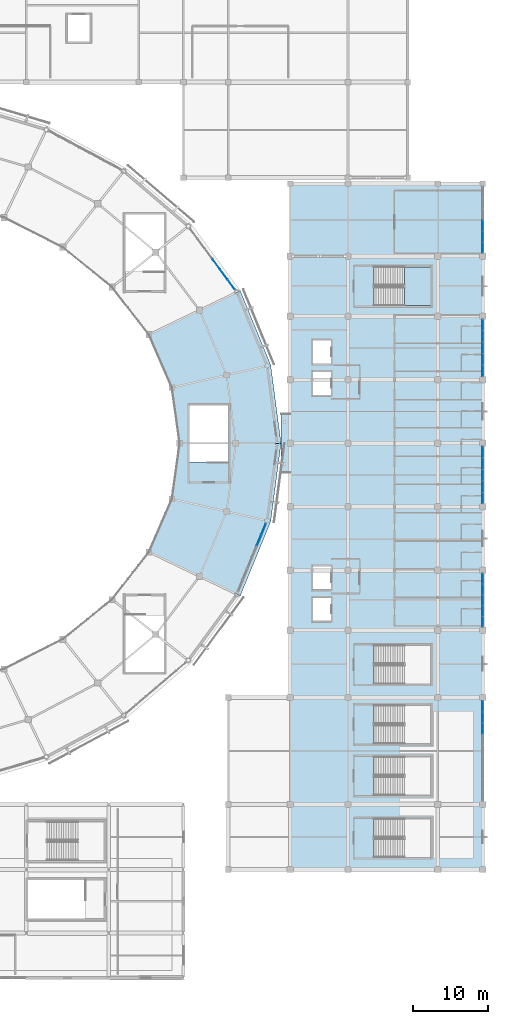
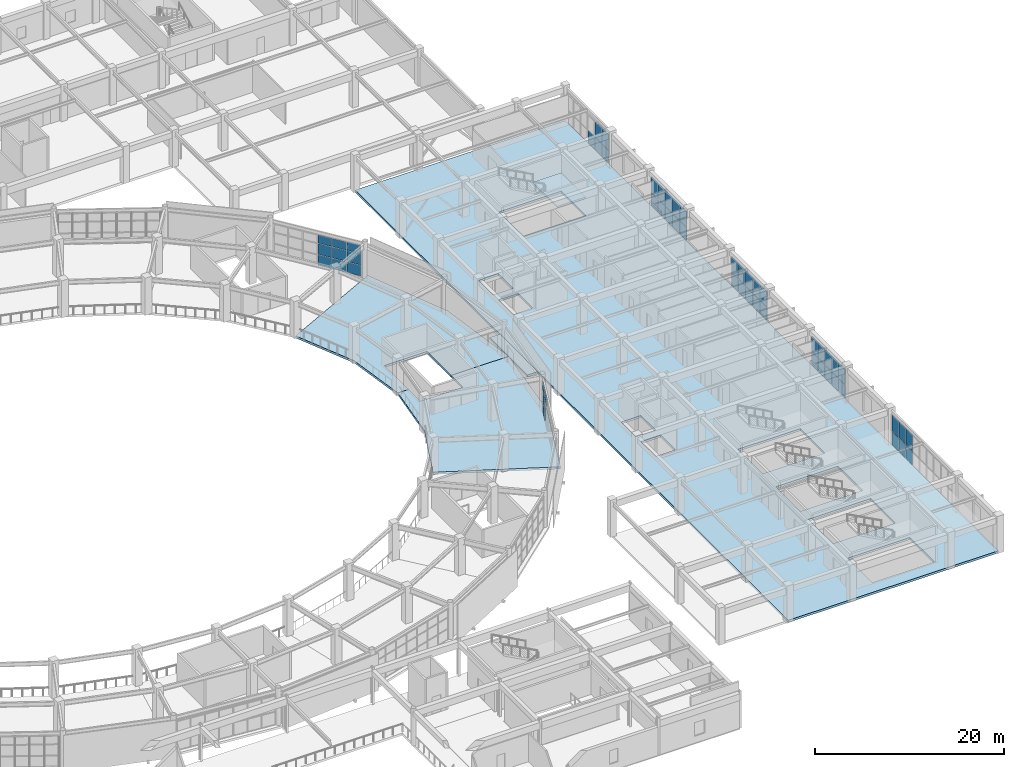
# One storey, part 74 of 112: 54 plates, 5 slabs, 8 elements without a shape of their own.
"""IFC4 building model written with IfcOpenShell, lengths in metres."""

import ifcopenshell
import ifcopenshell.guid

model = None  # the IFC model being written
_history = None  # IfcOwnerHistory: only IFC2X3 demands one
_inside = {}  # id of a spatial element -> (the spatial element, [elements in it])
_under = {}  # id of a project, library or spatial element -> (it, [spatial elements below it])
_declared = {}  # id of a project -> (the project, [libraries it declares])
_typed = {}  # id of a type object -> (the type object, [elements of that type])
_made_of = {}  # id of a material, layer set ... -> (it, [elements and type objects made of it])


def new_model(schema):
    """Start an empty IFC model of exactly this schema.

    Asked for "IFC4X3", IfcOpenShell would pick the latest addendum, in which some entities
    have other attributes; the version numbers below select the first issue.
    IFC2X3 requires an IfcOwnerHistory on every rooted entity: one is made here for all.
    """
    global model, _history
    if schema == "IFC4X3":
        model = ifcopenshell.file(schema_version=(4, 3, 0, 0))
    else:
        model = ifcopenshell.file(schema=schema)
    _inside.clear()
    _under.clear()
    _declared.clear()
    _typed.clear()
    _made_of.clear()
    _history = None
    if model.schema == "IFC2X3":
        org = make("IfcOrganization", Name="unknown")
        user = make(
            "IfcPersonAndOrganization",
            ThePerson=make("IfcPerson", FamilyName="unknown"),
            TheOrganization=org,
        )
        app = make(
            "IfcApplication",
            ApplicationDeveloper=org,
            Version="unknown",
            ApplicationFullName="unknown",
            ApplicationIdentifier="unknown",
        )
        _history = make(
            "IfcOwnerHistory",
            OwningUser=user,
            OwningApplication=app,
            ChangeAction="ADDED",
            CreationDate=0,
        )
    return model


def make(cls, **values):
    """One entity of the class cls with the attributes given. An attribute that is None is left unset."""
    return model.create_entity(
        cls, **{name: value for name, value in values.items() if value is not None}
    )


def rooted(cls, **values):
    """An entity with a GlobalId (a new one), such as an element, a storey or a relation."""
    return make(cls, GlobalId=ifcopenshell.guid.new(), OwnerHistory=_history, **values)


def si_unit(unit_type, name, prefix=None):
    """IfcSIUnit, for example si_unit("LENGTHUNIT", "METRE", prefix="MILLI")."""
    return make("IfcSIUnit", UnitType=unit_type, Prefix=prefix, Name=name)


def assignment(units):
    """IfcUnitAssignment: the units of a project."""
    return None if units is None else make("IfcUnitAssignment", Units=units)


def point(xyz):
    """IfcCartesianPoint."""
    return None if xyz is None else make("IfcCartesianPoint", Coordinates=xyz)


def direction(xyz):
    """IfcDirection."""
    return None if xyz is None else make("IfcDirection", DirectionRatios=xyz)


def frame(location, z_axis=None, x_axis=None):
    """IfcAxis2Placement3D, a coordinate frame: its origin and axes. An axis left out is left unset."""
    return make(
        "IfcAxis2Placement3D",
        Location=point(location),
        Axis=direction(z_axis),
        RefDirection=direction(x_axis),
    )


def frame_2d(location, x_axis=None):
    """IfcAxis2Placement2D, a coordinate frame in the plane: its origin and x axis."""
    return make(
        "IfcAxis2Placement2D", Location=point(location), RefDirection=direction(x_axis)
    )


def origin():
    """The frame at (0, 0, 0) with its axes left unset."""
    return frame((0.0, 0.0, 0.0))


def origin_2d():
    """The frame at (0, 0) in the plane with its x axis left unset."""
    return frame_2d((0.0, 0.0))


def place(relative_to, where):
    """IfcLocalPlacement: puts the frame where relative to a parent placement (None: the world)."""
    return make(
        "IfcLocalPlacement", PlacementRelTo=relative_to, RelativePlacement=where
    )


def context(
    kind, dimensions, precision=None, world=None, true_north=None, identifier=None
):
    """IfcGeometricRepresentationContext, for example the 3D "Model" context."""
    return make(
        "IfcGeometricRepresentationContext",
        ContextIdentifier=identifier,
        ContextType=kind,
        CoordinateSpaceDimension=dimensions,
        Precision=precision,
        WorldCoordinateSystem=world,
        TrueNorth=true_north,
    )


def subcontext(parent, identifier, kind, view, scale=None):
    """IfcGeometricRepresentationSubContext, for example "Body" below "Model"."""
    return make(
        "IfcGeometricRepresentationSubContext",
        ContextIdentifier=identifier,
        ContextType=kind,
        ParentContext=parent,
        TargetScale=scale,
        TargetView=view,
    )


def project(units=None, contexts=None):
    """IfcProject with its units and contexts."""
    return rooted(
        "IfcProject",
        Name="project",
        RepresentationContexts=contexts,
        UnitsInContext=assignment(units),
    )


def spatial(cls, under=None, at=None, **own):
    """A site, building, storey or space (cls), placed at a placement, below another one or the project."""
    s = rooted(cls, ObjectPlacement=at, **own)
    if under is not None:
        _under.setdefault(under.id(), (under, []))[1].append(s)
    return s


def polyline(points):
    """IfcPolyline through the points."""
    return make("IfcPolyline", Points=[point(p) for p in points])


def profile(cls, at=None, kind="AREA", **sizes):
    """A parametric profile (cls). Its sizes go by their IFC names, for example OverallWidth=200.0."""
    return make(cls, ProfileType=kind, Position=at, **sizes)


def rectangle(**sizes):
    """IfcRectangleProfileDef."""
    return profile("IfcRectangleProfileDef", **sizes)


def outline(outer, holes=None, kind="AREA"):
    """IfcArbitraryClosedProfileDef: a profile drawn as a closed curve; with holes, ...WithVoids."""
    if holes is None:
        return make("IfcArbitraryClosedProfileDef", ProfileType=kind, OuterCurve=outer)
    return make(
        "IfcArbitraryProfileDefWithVoids",
        ProfileType=kind,
        OuterCurve=outer,
        InnerCurves=holes,
    )


def extrude(swept, where, along, depth):
    """IfcExtrudedAreaSolid: the profile swept, set in the frame where, extruded along a direction by depth."""
    return make(
        "IfcExtrudedAreaSolid",
        SweptArea=swept,
        Position=where,
        ExtrudedDirection=direction(along),
        Depth=depth,
    )


def shape(context_of_items, identifier, shape_type, items):
    """IfcShapeRepresentation: the items that make up one representation, for example the "Body"."""
    return make(
        "IfcShapeRepresentation",
        ContextOfItems=context_of_items,
        RepresentationIdentifier=identifier,
        RepresentationType=shape_type,
        Items=items,
    )


def material(Name=None, Category=None):
    """IfcMaterial."""
    return make("IfcMaterial", Name=Name, Category=Category)


def layer(
    of_material, thickness, ventilated=None, Name=None, Category=None, Priority=None
):
    """IfcMaterialLayer: one layer of a wall or slab, of a material (None: an air gap)."""
    return make(
        "IfcMaterialLayer",
        Material=of_material,
        LayerThickness=thickness,
        IsVentilated=ventilated,
        Name=Name,
        Category=Category,
        Priority=Priority,
    )


def layer_set(layers, Name=None):
    """IfcMaterialLayerSet."""
    return make("IfcMaterialLayerSet", MaterialLayers=layers, LayerSetName=Name)


def made_of(thing, what):
    """Note that an element or type object is made of a material, layer set ...; save() writes the relation."""
    if what is not None:
        _made_of.setdefault(what.id(), (what, []))[1].append(thing)
    return thing


def type_object(cls, material=None, **own):
    """A type object (cls), such as IfcWallType, which elements share."""
    return made_of(rooted(cls, **own), material)


def element(
    cls,
    number,
    at=None,
    inside=None,
    cuts=None,
    type_object=None,
    material=None,
    context=None,
    identifier="Body",
    shape_type=None,
    held_by="IfcProductDefinitionShape",
    body=None,
    shapes=None,
    **own,
):
    """One element of the class cls, such as IfcWall. Its Tag is "e" and its number.

    at: its placement. inside: the storey or other place that contains it. cuts: it is an
    opening in that element (IfcRelVoidsElement). A single representation is given by context,
    identifier, shape_type and body (its items); several are given by shapes. held_by: the class
    of the entity that holds the representations. save() writes the other relations.
    """
    e = rooted(cls, Tag="e%d" % number, ObjectPlacement=at, **own)
    if body is not None:
        shapes = [shape(context, identifier, shape_type, body)]
    if shapes is not None:
        e.Representation = make(held_by, Representations=shapes)
    if inside is not None:
        _inside.setdefault(inside.id(), (inside, []))[1].append(e)
    if cuts is not None:
        rooted(
            "IfcRelVoidsElement", RelatingBuildingElement=cuts, RelatedOpeningElement=e
        )
    if type_object is not None:
        _typed.setdefault(type_object.id(), (type_object, []))[1].append(e)
    return made_of(e, material)


def aggregate(whole, parts):
    """IfcRelAggregates: a whole, such as a stair, and the parts it consists of."""
    return rooted("IfcRelAggregates", RelatingObject=whole, RelatedObjects=parts)


def save(model, path):
    """Write the relations noted so far, then the file.

    IfcRelAggregates (storeys below a building ...), IfcRelContainedInSpatialStructure (elements
    in a storey), IfcRelDefinesByType, IfcRelAssociatesMaterial and IfcRelDeclares: one each for
    every whole, place, type object, material and project.
    """
    for whole, parts in _under.values():
        aggregate(whole, parts)
    for where, things in _inside.values():
        rooted(
            "IfcRelContainedInSpatialStructure",
            RelatedElements=things,
            RelatingStructure=where,
        )
    for kind, things in _typed.values():
        rooted("IfcRelDefinesByType", RelatedObjects=things, RelatingType=kind)
    for what, things in _made_of.values():
        rooted("IfcRelAssociatesMaterial", RelatedObjects=things, RelatingMaterial=what)
    for by, libraries in _declared.values():
        rooted("IfcRelDeclares", RelatingContext=by, RelatedDefinitions=libraries)
    model.write(path)


model = new_model("IFC4")

# Units and contexts
model_context = context("Model", 3, precision=1e-05, world=origin(), true_north=direction((0.0, 1.0)))
body_context = subcontext(model_context, "Body", "Model", "MODEL_VIEW")
ifc_project = project(units=[si_unit("LENGTHUNIT", "METRE"), si_unit("AREAUNIT", "SQUARE_METRE"), si_unit("VOLUMEUNIT", "CUBIC_METRE"), si_unit("PLANEANGLEUNIT", "RADIAN"), si_unit("MASSUNIT", "GRAM", prefix="KILO")], contexts=[model_context])

# Site, building, storey
site_placement = place(None, origin())
site = spatial("IfcSite", under=ifc_project, at=site_placement, CompositionType="ELEMENT")
building_placement = place(site_placement, origin())
building = spatial("IfcBuilding", under=site, at=building_placement, Name="Cuetzalor Civic Arena", CompositionType="ELEMENT")
storey_placement = place(building_placement, frame((0.0, 0.0, 11.39990234375)))
storey = spatial("IfcBuildingStorey", under=building, at=storey_placement, Name="L02", CompositionType="ELEMENT", Elevation=11.39990234375)

# Curtain wall, plates
ifc_material_1 = material(Name="Anodised dark bronze aluminium and low-E solar glass", Category="aluminium")
curtain_wall_type_1 = type_object("IfcCurtainWallType", Name="UnitisedCW_10150x4050", PredefinedType="USERDEFINED", material=ifc_material_1)
curtain_wall_1_placement = place(storey_placement, origin())
curtain_wall_1 = element("IfcCurtainWall", 1, at=curtain_wall_1_placement, inside=storey, type_object=curtain_wall_type_1, Name="Drum Triangle Foyer Curtain Wall L02-033", ObjectType="UNITISED CURTAIN WALL", PredefinedType="USERDEFINED")
ifc_material_2 = material(Name="Acoustic laminated solar control glass", Category="glass")
ifc_layer_1 = layer(ifc_material_2, 0.0439453125)
ifc_layer_set_1 = layer_set([ifc_layer_1], Name="Acoustic laminated solar control glass")
plate_type = type_object("IfcPlateType", Name="AcousticTripleGlazedPanel_44", PredefinedType="CURTAIN_PANEL", material=ifc_layer_set_1)
plate_1_placement = place(storey_placement, frame((46.399658203125, 23.9296875, 0.06494140625), z_axis=(0.0, 0.0, 1.0), x_axis=(0.59292931222, -0.805254513002, 0.0)))
plate_1 = element("IfcPlate", 2, at=plate_1_placement, type_object=plate_type, Name="CW-12 panel 4.1", PredefinedType="CURTAIN_PANEL", context=body_context, shape_type="SweptSolid", body=[
    extrude(rectangle(XDim=1.625732421875, YDim=0.0439453125, at=origin_2d()), origin(), (0.0, 0.0, 1.0), 1.361572265625),
])
plate_2_placement = place(storey_placement, frame((46.399658203125, 23.9296875, 1.491455078125), z_axis=(0.0, 0.0, 1.0), x_axis=(0.59292931222, -0.805254513002, 0.0)))
plate_2 = element("IfcPlate", 3, at=plate_2_placement, type_object=plate_type, Name="CW-12 panel 4.2", PredefinedType="CURTAIN_PANEL", context=body_context, shape_type="SweptSolid", body=[
    extrude(rectangle(XDim=1.625732421875, YDim=0.0439453125, at=origin_2d()), origin(), (0.0, 0.0, 1.0), 1.39404296875),
])
plate_3_placement = place(storey_placement, frame((46.399658203125, 23.9296875, 2.950439453125), z_axis=(0.0, 0.0, 1.0), x_axis=(0.59292931222, -0.805254513002, 0.0)))
plate_3 = element("IfcPlate", 4, at=plate_3_placement, type_object=plate_type, Name="CW-12 panel 4.3", PredefinedType="CURTAIN_PANEL", context=body_context, shape_type="SweptSolid", body=[
    extrude(rectangle(XDim=1.625732421875, YDim=0.0439453125, at=origin_2d()), origin(), (0.0, 0.0, 1.0), 1.03759765625),
])
plate_4_placement = place(storey_placement, frame((47.402099609375, 22.568359375, 0.06494140625), z_axis=(0.0, 0.0, 1.0), x_axis=(0.59292931222, -0.805254513002, 0.0)))
plate_4 = element("IfcPlate", 5, at=plate_4_placement, type_object=plate_type, Name="CW-12 panel 5.1", PredefinedType="CURTAIN_PANEL", context=body_context, shape_type="SweptSolid", body=[
    extrude(rectangle(XDim=1.625732421875, YDim=0.0439453125, at=origin_2d()), origin(), (0.0, 0.0, 1.0), 1.361572265625),
])
plate_5_placement = place(storey_placement, frame((47.402099609375, 22.568359375, 1.491455078125), z_axis=(0.0, 0.0, 1.0), x_axis=(0.59292931222, -0.805254513002, 0.0)))
plate_5 = element("IfcPlate", 6, at=plate_5_placement, type_object=plate_type, Name="CW-12 panel 5.2", PredefinedType="CURTAIN_PANEL", context=body_context, shape_type="SweptSolid", body=[
    extrude(rectangle(XDim=1.625732421875, YDim=0.0439453125, at=origin_2d()), origin(), (0.0, 0.0, 1.0), 1.39404296875),
])
plate_6_placement = place(storey_placement, frame((47.402099609375, 22.568359375, 2.950439453125), z_axis=(0.0, 0.0, 1.0), x_axis=(0.59292931222, -0.805254513002, 0.0)))
plate_6 = element("IfcPlate", 7, at=plate_6_placement, type_object=plate_type, Name="CW-12 panel 5.3", PredefinedType="CURTAIN_PANEL", context=body_context, shape_type="SweptSolid", body=[
    extrude(rectangle(XDim=1.625732421875, YDim=0.0439453125, at=origin_2d()), origin(), (0.0, 0.0, 1.0), 1.03759765625),
])
plate_7_placement = place(storey_placement, frame((48.394775390625, 21.219970703125, 0.06494140625), z_axis=(0.0, 0.0, 1.0), x_axis=(0.59292931222, -0.805254513002, 0.0)))
plate_7 = element("IfcPlate", 8, at=plate_7_placement, type_object=plate_type, Name="CW-12 panel 6.1", PredefinedType="CURTAIN_PANEL", context=body_context, shape_type="SweptSolid", body=[
    extrude(rectangle(XDim=1.59326171875, YDim=0.0439453125, at=origin_2d()), origin(), (0.0, 0.0, 1.0), 1.361572265625),
])
plate_8_placement = place(storey_placement, frame((48.394775390625, 21.219970703125, 1.491455078125), z_axis=(0.0, 0.0, 1.0), x_axis=(0.59292931222, -0.805254513002, 0.0)))
plate_8 = element("IfcPlate", 9, at=plate_8_placement, type_object=plate_type, Name="CW-12 panel 6.2", PredefinedType="CURTAIN_PANEL", context=body_context, shape_type="SweptSolid", body=[
    extrude(rectangle(XDim=1.59326171875, YDim=0.0439453125, at=origin_2d()), origin(), (0.0, 0.0, 1.0), 1.39404296875),
])
plate_9_placement = place(storey_placement, frame((48.394775390625, 21.219970703125, 2.950439453125), z_axis=(0.0, 0.0, 1.0), x_axis=(0.59292931222, -0.805254513002, 0.0)))
plate_9 = element("IfcPlate", 10, at=plate_9_placement, type_object=plate_type, Name="CW-12 panel 6.3", PredefinedType="CURTAIN_PANEL", context=body_context, shape_type="SweptSolid", body=[
    extrude(rectangle(XDim=1.59326171875, YDim=0.0439453125, at=origin_2d()), origin(), (0.0, 0.0, 1.0), 1.03759765625),
])
aggregate(curtain_wall_1, [plate_1, plate_2, plate_3, plate_4, plate_5, plate_6, plate_7, plate_8, plate_9])

ifc_material_3 = material(Name="Anodised dark bronze aluminium and low-E solar glass", Category="aluminium")
curtain_wall_type_2 = type_object("IfcCurtainWallType", Name="UnitisedCW_9850x4050", PredefinedType="USERDEFINED", material=ifc_material_3)
curtain_wall_2_placement = place(storey_placement, origin())
curtain_wall_2 = element("IfcCurtainWall", 11, at=curtain_wall_2_placement, inside=storey, type_object=curtain_wall_type_2, Name="Drum Triangle Foyer Curtain Wall L02-044", ObjectType="UNITISED CURTAIN WALL", PredefinedType="USERDEFINED")
plate_10_placement = place(storey_placement, frame((52.719970703125, -11.486083984375, 0.06494140625), z_axis=(0.0, 0.0, 1.0), x_axis=(-0.379391428583, -0.925236263836, 0.0)))
plate_10 = element("IfcPlate", 12, at=plate_10_placement, type_object=plate_type, Name="CW-17 panel 1.1", PredefinedType="CURTAIN_PANEL", context=body_context, shape_type="SweptSolid", body=[
    extrude(rectangle(XDim=1.548095703125, YDim=0.0439453125, at=origin_2d()), origin(), (0.0, 0.0, 1.0), 1.361572265625),
])
plate_11_placement = place(storey_placement, frame((52.719970703125, -11.486083984375, 1.491455078125), z_axis=(0.0, 0.0, 1.0), x_axis=(-0.379391428583, -0.925236263836, 0.0)))
plate_11 = element("IfcPlate", 13, at=plate_11_placement, type_object=plate_type, Name="CW-17 panel 1.2", PredefinedType="CURTAIN_PANEL", context=body_context, shape_type="SweptSolid", body=[
    extrude(rectangle(XDim=1.548095703125, YDim=0.0439453125, at=origin_2d()), origin(), (0.0, 0.0, 1.0), 1.39404296875),
])
plate_12_placement = place(storey_placement, frame((52.719970703125, -11.486083984375, 2.950439453125), z_axis=(0.0, 0.0, 1.0), x_axis=(-0.379391428583, -0.925236263836, 0.0)))
plate_12 = element("IfcPlate", 14, at=plate_12_placement, type_object=plate_type, Name="CW-17 panel 1.3", PredefinedType="CURTAIN_PANEL", context=body_context, shape_type="SweptSolid", body=[
    extrude(rectangle(XDim=1.548095703125, YDim=0.0439453125, at=origin_2d()), origin(), (0.0, 0.0, 1.0), 1.03759765625),
])
plate_13_placement = place(storey_placement, frame((52.1015625, -12.993896484375, 2.950439453125), z_axis=(0.0, 0.0, 1.0), x_axis=(-0.379391428583, -0.925236263836, 0.0)))
plate_13 = element("IfcPlate", 15, at=plate_13_placement, type_object=plate_type, Name="CW-17 panel 2.3", PredefinedType="CURTAIN_PANEL", context=body_context, shape_type="SweptSolid", body=[
    extrude(rectangle(XDim=1.580810546875, YDim=0.0439453125, at=origin_2d()), origin(), (0.0, 0.0, 1.0), 1.03759765625),
])
aggregate(curtain_wall_2, [plate_10, plate_11, plate_12, plate_13])

ifc_material_4 = material(Name="Anodised dark bronze aluminium and low-E solar glass", Category="aluminium")
curtain_wall_type_3 = type_object("IfcCurtainWallType", Name="UnitisedCW_13500x4000", PredefinedType="USERDEFINED", material=ifc_material_4)
curtain_wall_3_placement = place(storey_placement, origin())
curtain_wall_3 = element("IfcCurtainWall", 16, at=curtain_wall_3_placement, inside=storey, type_object=curtain_wall_type_3, Name="V4E Suite Viewing Curtain Wall L02-140", ObjectType="UNITISED CURTAIN WALL", PredefinedType="USERDEFINED")
plate_14_placement = place(storey_placement, frame((82.0, -35.17236328125, 0.065185546875), z_axis=(0.0, 0.0, 1.0), x_axis=(0.0, -1.0, 0.0)))
plate_14 = element("IfcPlate", 17, at=plate_14_placement, type_object=plate_type, Name="CW-40 panel 1.1", PredefinedType="CURTAIN_PANEL", context=body_context, shape_type="SweptSolid", body=[
    extrude(rectangle(XDim=1.40087890625, YDim=0.0439453125, at=origin_2d()), origin(), (0.0, 0.0, 1.0), 1.6923828125),
])
plate_15_placement = place(storey_placement, frame((82.0, -35.17236328125, 1.82275390625), z_axis=(0.0, 0.0, 1.0), x_axis=(0.0, -1.0, 0.0)))
plate_15 = element("IfcPlate", 18, at=plate_15_placement, type_object=plate_type, Name="CW-40 panel 1.2", PredefinedType="CURTAIN_PANEL", context=body_context, shape_type="SweptSolid", body=[
    extrude(rectangle(XDim=1.40087890625, YDim=0.0439453125, at=origin_2d()), origin(), (0.0, 0.0, 1.0), 2.089599609375),
])
plate_16_placement = place(storey_placement, frame((82.0, -36.65478515625, 0.065185546875), z_axis=(0.0, 0.0, 1.0), x_axis=(0.0, -1.0, 0.0)))
plate_16 = element("IfcPlate", 19, at=plate_16_placement, type_object=plate_type, Name="CW-40 panel 2.1", PredefinedType="CURTAIN_PANEL", context=body_context, shape_type="SweptSolid", body=[
    extrude(rectangle(XDim=1.433349609375, YDim=0.0439453125, at=origin_2d()), origin(), (0.0, 0.0, 1.0), 1.6923828125),
])
plate_17_placement = place(storey_placement, frame((82.0, -36.65478515625, 1.82275390625), z_axis=(0.0, 0.0, 1.0), x_axis=(0.0, -1.0, 0.0)))
plate_17 = element("IfcPlate", 20, at=plate_17_placement, type_object=plate_type, Name="CW-40 panel 2.2", PredefinedType="CURTAIN_PANEL", context=body_context, shape_type="SweptSolid", body=[
    extrude(rectangle(XDim=1.433349609375, YDim=0.0439453125, at=origin_2d()), origin(), (0.0, 0.0, 1.0), 2.089599609375),
])
plate_18_placement = place(storey_placement, frame((82.0, -38.153076171875, 0.065185546875), z_axis=(0.0, 0.0, 1.0), x_axis=(0.0, -1.0, 0.0)))
plate_18 = element("IfcPlate", 21, at=plate_18_placement, type_object=plate_type, Name="CW-40 panel 3.1", PredefinedType="CURTAIN_PANEL", context=body_context, shape_type="SweptSolid", body=[
    extrude(rectangle(XDim=1.433349609375, YDim=0.0439453125, at=origin_2d()), origin(), (0.0, 0.0, 1.0), 1.6923828125),
])
plate_19_placement = place(storey_placement, frame((82.0, -38.153076171875, 1.82275390625), z_axis=(0.0, 0.0, 1.0), x_axis=(0.0, -1.0, 0.0)))
plate_19 = element("IfcPlate", 22, at=plate_19_placement, type_object=plate_type, Name="CW-40 panel 3.2", PredefinedType="CURTAIN_PANEL", context=body_context, shape_type="SweptSolid", body=[
    extrude(rectangle(XDim=1.433349609375, YDim=0.0439453125, at=origin_2d()), origin(), (0.0, 0.0, 1.0), 2.089599609375),
])
aggregate(curtain_wall_3, [plate_14, plate_15, plate_16, plate_17, plate_18, plate_19])

ifc_material_5 = material(Name="Anodised dark bronze aluminium and low-E solar glass", Category="aluminium")
curtain_wall_type_4 = type_object("IfcCurtainWallType", Name="UnitisedCW_7200x3850", PredefinedType="USERDEFINED", material=ifc_material_5)
curtain_wall_4_placement = place(storey_placement, origin())
curtain_wall_4 = element("IfcCurtainWall", 23, at=curtain_wall_4_placement, inside=storey, type_object=curtain_wall_type_4, Name="V4E Suite Viewing Curtain Wall L02-141", ObjectType="UNITISED CURTAIN WALL", PredefinedType="USERDEFINED")
plate_20_placement = place(storey_placement, frame((82.0, -18.141845703125, 0.06494140625), z_axis=(0.0, 0.0, 1.0), x_axis=(0.0, -1.0, 0.0)))
plate_20 = element("IfcPlate", 24, at=plate_20_placement, type_object=plate_type, Name="CW-41 panel 1.1", PredefinedType="CURTAIN_PANEL", context=body_context, shape_type="SweptSolid", body=[
    extrude(rectangle(XDim=1.339599609375, YDim=0.0439453125, at=origin_2d()), origin(), (0.0, 0.0, 1.0), 1.639404296875),
])
plate_21_placement = place(storey_placement, frame((82.0, -18.141845703125, 1.76953125), z_axis=(0.0, 0.0, 1.0), x_axis=(0.0, -1.0, 0.0)))
plate_21 = element("IfcPlate", 25, at=plate_21_placement, type_object=plate_type, Name="CW-41 panel 1.2", PredefinedType="CURTAIN_PANEL", context=body_context, shape_type="SweptSolid", body=[
    extrude(rectangle(XDim=1.339599609375, YDim=0.0439453125, at=origin_2d()), origin(), (0.0, 0.0, 1.0), 2.025390625),
])
plate_22_placement = place(storey_placement, frame((82.0, -19.562744140625, 0.06494140625), z_axis=(0.0, 0.0, 1.0), x_axis=(0.0, -1.0, 0.0)))
plate_22 = element("IfcPlate", 26, at=plate_22_placement, type_object=plate_type, Name="CW-41 panel 2.1", PredefinedType="CURTAIN_PANEL", context=body_context, shape_type="SweptSolid", body=[
    extrude(rectangle(XDim=1.372314453125, YDim=0.0439453125, at=origin_2d()), origin(), (0.0, 0.0, 1.0), 1.639404296875),
])
plate_23_placement = place(storey_placement, frame((82.0, -19.562744140625, 1.76953125), z_axis=(0.0, 0.0, 1.0), x_axis=(0.0, -1.0, 0.0)))
plate_23 = element("IfcPlate", 27, at=plate_23_placement, type_object=plate_type, Name="CW-41 panel 2.2", PredefinedType="CURTAIN_PANEL", context=body_context, shape_type="SweptSolid", body=[
    extrude(rectangle(XDim=1.372314453125, YDim=0.0439453125, at=origin_2d()), origin(), (0.0, 0.0, 1.0), 2.025390625),
])
plate_24_placement = place(storey_placement, frame((82.0, -21.0, 0.06494140625), z_axis=(0.0, 0.0, 1.0), x_axis=(0.0, -1.0, 0.0)))
plate_24 = element("IfcPlate", 28, at=plate_24_placement, type_object=plate_type, Name="CW-41 panel 3.1", PredefinedType="CURTAIN_PANEL", context=body_context, shape_type="SweptSolid", body=[
    extrude(rectangle(XDim=1.372314453125, YDim=0.0439453125, at=origin_2d()), origin(), (0.0, 0.0, 1.0), 1.639404296875),
])
plate_25_placement = place(storey_placement, frame((82.0, -21.0, 1.76953125), z_axis=(0.0, 0.0, 1.0), x_axis=(0.0, -1.0, 0.0)))
plate_25 = element("IfcPlate", 29, at=plate_25_placement, type_object=plate_type, Name="CW-41 panel 3.2", PredefinedType="CURTAIN_PANEL", context=body_context, shape_type="SweptSolid", body=[
    extrude(rectangle(XDim=1.372314453125, YDim=0.0439453125, at=origin_2d()), origin(), (0.0, 0.0, 1.0), 2.025390625),
])
plate_26_placement = place(storey_placement, frame((82.0, -22.437255859375, 0.06494140625), z_axis=(0.0, 0.0, 1.0), x_axis=(0.0, -1.0, 0.0)))
plate_26 = element("IfcPlate", 30, at=plate_26_placement, type_object=plate_type, Name="CW-41 panel 4.1", PredefinedType="CURTAIN_PANEL", context=body_context, shape_type="SweptSolid", body=[
    extrude(rectangle(XDim=1.372314453125, YDim=0.0439453125, at=origin_2d()), origin(), (0.0, 0.0, 1.0), 1.639404296875),
])
plate_27_placement = place(storey_placement, frame((82.0, -22.437255859375, 1.76953125), z_axis=(0.0, 0.0, 1.0), x_axis=(0.0, -1.0, 0.0)))
plate_27 = element("IfcPlate", 31, at=plate_27_placement, type_object=plate_type, Name="CW-41 panel 4.2", PredefinedType="CURTAIN_PANEL", context=body_context, shape_type="SweptSolid", body=[
    extrude(rectangle(XDim=1.372314453125, YDim=0.0439453125, at=origin_2d()), origin(), (0.0, 0.0, 1.0), 2.025390625),
])
plate_28_placement = place(storey_placement, frame((82.0, -23.858154296875, 0.06494140625), z_axis=(0.0, 0.0, 1.0), x_axis=(0.0, -1.0, 0.0)))
plate_28 = element("IfcPlate", 32, at=plate_28_placement, type_object=plate_type, Name="CW-41 panel 5.1", PredefinedType="CURTAIN_PANEL", context=body_context, shape_type="SweptSolid", body=[
    extrude(rectangle(XDim=1.339599609375, YDim=0.0439453125, at=origin_2d()), origin(), (0.0, 0.0, 1.0), 1.639404296875),
])
plate_29_placement = place(storey_placement, frame((82.0, -23.858154296875, 1.76953125), z_axis=(0.0, 0.0, 1.0), x_axis=(0.0, -1.0, 0.0)))
plate_29 = element("IfcPlate", 33, at=plate_29_placement, type_object=plate_type, Name="CW-41 panel 5.2", PredefinedType="CURTAIN_PANEL", context=body_context, shape_type="SweptSolid", body=[
    extrude(rectangle(XDim=1.339599609375, YDim=0.0439453125, at=origin_2d()), origin(), (0.0, 0.0, 1.0), 2.025390625),
])
aggregate(curtain_wall_4, [plate_20, plate_21, plate_22, plate_23, plate_24, plate_25, plate_26, plate_27, plate_28, plate_29])

ifc_material_6 = material(Name="Anodised dark bronze aluminium and low-E solar glass", Category="aluminium")
curtain_wall_type_5 = type_object("IfcCurtainWallType", Name="UnitisedCW_7700x3850", PredefinedType="USERDEFINED", material=ifc_material_6)
curtain_wall_5_placement = place(storey_placement, origin())
curtain_wall_5 = element("IfcCurtainWall", 34, at=curtain_wall_5_placement, inside=storey, type_object=curtain_wall_type_5, Name="V4E Suite Viewing Curtain Wall L02-142", ObjectType="UNITISED CURTAIN WALL", PredefinedType="USERDEFINED")
plate_30_placement = place(storey_placement, frame((82.0, -1.19189453125, 0.06494140625), z_axis=(0.0, 0.0, 1.0), x_axis=(0.0, -1.0, 0.0)))
plate_30 = element("IfcPlate", 35, at=plate_30_placement, type_object=plate_type, Name="CW-42 panel 1.1", PredefinedType="CURTAIN_PANEL", context=body_context, shape_type="SweptSolid", body=[
    extrude(rectangle(XDim=1.439697265625, YDim=0.0439453125, at=origin_2d()), origin(), (0.0, 0.0, 1.0), 1.639404296875),
])
plate_31_placement = place(storey_placement, frame((82.0, -1.19189453125, 1.76953125), z_axis=(0.0, 0.0, 1.0), x_axis=(0.0, -1.0, 0.0)))
plate_31 = element("IfcPlate", 36, at=plate_31_placement, type_object=plate_type, Name="CW-42 panel 1.2", PredefinedType="CURTAIN_PANEL", context=body_context, shape_type="SweptSolid", body=[
    extrude(rectangle(XDim=1.439697265625, YDim=0.0439453125, at=origin_2d()), origin(), (0.0, 0.0, 1.0), 2.025390625),
])
plate_32_placement = place(storey_placement, frame((82.0, -2.712890625, 0.06494140625), z_axis=(0.0, 0.0, 1.0), x_axis=(0.0, -1.0, 0.0)))
plate_32 = element("IfcPlate", 37, at=plate_32_placement, type_object=plate_type, Name="CW-42 panel 2.1", PredefinedType="CURTAIN_PANEL", context=body_context, shape_type="SweptSolid", body=[
    extrude(rectangle(XDim=1.47216796875, YDim=0.0439453125, at=origin_2d()), origin(), (0.0, 0.0, 1.0), 1.639404296875),
])
plate_33_placement = place(storey_placement, frame((82.0, -2.712890625, 1.76953125), z_axis=(0.0, 0.0, 1.0), x_axis=(0.0, -1.0, 0.0)))
plate_33 = element("IfcPlate", 38, at=plate_33_placement, type_object=plate_type, Name="CW-42 panel 2.2", PredefinedType="CURTAIN_PANEL", context=body_context, shape_type="SweptSolid", body=[
    extrude(rectangle(XDim=1.47216796875, YDim=0.0439453125, at=origin_2d()), origin(), (0.0, 0.0, 1.0), 2.025390625),
])
plate_34_placement = place(storey_placement, frame((82.0, -4.25, 0.06494140625), z_axis=(0.0, 0.0, 1.0), x_axis=(0.0, -1.0, 0.0)))
plate_34 = element("IfcPlate", 39, at=plate_34_placement, type_object=plate_type, Name="CW-42 panel 3.1", PredefinedType="CURTAIN_PANEL", context=body_context, shape_type="SweptSolid", body=[
    extrude(rectangle(XDim=1.47216796875, YDim=0.0439453125, at=origin_2d()), origin(), (0.0, 0.0, 1.0), 1.639404296875),
])
plate_35_placement = place(storey_placement, frame((82.0, -4.25, 1.76953125), z_axis=(0.0, 0.0, 1.0), x_axis=(0.0, -1.0, 0.0)))
plate_35 = element("IfcPlate", 40, at=plate_35_placement, type_object=plate_type, Name="CW-42 panel 3.2", PredefinedType="CURTAIN_PANEL", context=body_context, shape_type="SweptSolid", body=[
    extrude(rectangle(XDim=1.47216796875, YDim=0.0439453125, at=origin_2d()), origin(), (0.0, 0.0, 1.0), 2.025390625),
])
plate_36_placement = place(storey_placement, frame((82.0, -5.787109375, 0.06494140625), z_axis=(0.0, 0.0, 1.0), x_axis=(0.0, -1.0, 0.0)))
plate_36 = element("IfcPlate", 41, at=plate_36_placement, type_object=plate_type, Name="CW-42 panel 4.1", PredefinedType="CURTAIN_PANEL", context=body_context, shape_type="SweptSolid", body=[
    extrude(rectangle(XDim=1.47216796875, YDim=0.0439453125, at=origin_2d()), origin(), (0.0, 0.0, 1.0), 1.639404296875),
])
plate_37_placement = place(storey_placement, frame((82.0, -5.787109375, 1.76953125), z_axis=(0.0, 0.0, 1.0), x_axis=(0.0, -1.0, 0.0)))
plate_37 = element("IfcPlate", 42, at=plate_37_placement, type_object=plate_type, Name="CW-42 panel 4.2", PredefinedType="CURTAIN_PANEL", context=body_context, shape_type="SweptSolid", body=[
    extrude(rectangle(XDim=1.47216796875, YDim=0.0439453125, at=origin_2d()), origin(), (0.0, 0.0, 1.0), 2.025390625),
])
plate_38_placement = place(storey_placement, frame((82.0, -7.30810546875, 0.06494140625), z_axis=(0.0, 0.0, 1.0), x_axis=(0.0, -1.0, 0.0)))
plate_38 = element("IfcPlate", 43, at=plate_38_placement, type_object=plate_type, Name="CW-42 panel 5.1", PredefinedType="CURTAIN_PANEL", context=body_context, shape_type="SweptSolid", body=[
    extrude(rectangle(XDim=1.439697265625, YDim=0.0439453125, at=origin_2d()), origin(), (0.0, 0.0, 1.0), 1.639404296875),
])
plate_39_placement = place(storey_placement, frame((82.0, -7.30810546875, 1.76953125), z_axis=(0.0, 0.0, 1.0), x_axis=(0.0, -1.0, 0.0)))
plate_39 = element("IfcPlate", 44, at=plate_39_placement, type_object=plate_type, Name="CW-42 panel 5.2", PredefinedType="CURTAIN_PANEL", context=body_context, shape_type="SweptSolid", body=[
    extrude(rectangle(XDim=1.439697265625, YDim=0.0439453125, at=origin_2d()), origin(), (0.0, 0.0, 1.0), 2.025390625),
])
aggregate(curtain_wall_5, [plate_30, plate_31, plate_32, plate_33, plate_34, plate_35, plate_36, plate_37, plate_38, plate_39])

curtain_wall_6_placement = place(storey_placement, origin())
curtain_wall_6 = element("IfcCurtainWall", 45, at=curtain_wall_6_placement, inside=storey, type_object=curtain_wall_type_5, Name="V4E Suite Viewing Curtain Wall L02-143", ObjectType="UNITISED CURTAIN WALL", PredefinedType="USERDEFINED")
plate_40_placement = place(storey_placement, frame((82.0, 15.80810546875, 0.06494140625), z_axis=(0.0, 0.0, 1.0), x_axis=(0.0, -1.0, 0.0)))
plate_40 = element("IfcPlate", 46, at=plate_40_placement, type_object=plate_type, Name="CW-42 panel 1.1", PredefinedType="CURTAIN_PANEL", context=body_context, shape_type="SweptSolid", body=[
    extrude(rectangle(XDim=1.439697265625, YDim=0.0439453125, at=origin_2d()), origin(), (0.0, 0.0, 1.0), 1.639404296875),
])
plate_41_placement = place(storey_placement, frame((82.0, 15.80810546875, 1.76953125), z_axis=(0.0, 0.0, 1.0), x_axis=(0.0, -1.0, 0.0)))
plate_41 = element("IfcPlate", 47, at=plate_41_placement, type_object=plate_type, Name="CW-42 panel 1.2", PredefinedType="CURTAIN_PANEL", context=body_context, shape_type="SweptSolid", body=[
    extrude(rectangle(XDim=1.439697265625, YDim=0.0439453125, at=origin_2d()), origin(), (0.0, 0.0, 1.0), 2.025390625),
])
plate_42_placement = place(storey_placement, frame((82.0, 14.287109375, 0.06494140625), z_axis=(0.0, 0.0, 1.0), x_axis=(0.0, -1.0, 0.0)))
plate_42 = element("IfcPlate", 48, at=plate_42_placement, type_object=plate_type, Name="CW-42 panel 2.1", PredefinedType="CURTAIN_PANEL", context=body_context, shape_type="SweptSolid", body=[
    extrude(rectangle(XDim=1.47216796875, YDim=0.0439453125, at=origin_2d()), origin(), (0.0, 0.0, 1.0), 1.639404296875),
])
plate_43_placement = place(storey_placement, frame((82.0, 14.287109375, 1.76953125), z_axis=(0.0, 0.0, 1.0), x_axis=(0.0, -1.0, 0.0)))
plate_43 = element("IfcPlate", 49, at=plate_43_placement, type_object=plate_type, Name="CW-42 panel 2.2", PredefinedType="CURTAIN_PANEL", context=body_context, shape_type="SweptSolid", body=[
    extrude(rectangle(XDim=1.47216796875, YDim=0.0439453125, at=origin_2d()), origin(), (0.0, 0.0, 1.0), 2.025390625),
])
plate_44_placement = place(storey_placement, frame((82.0, 12.75, 0.06494140625), z_axis=(0.0, 0.0, 1.0), x_axis=(0.0, -1.0, 0.0)))
plate_44 = element("IfcPlate", 50, at=plate_44_placement, type_object=plate_type, Name="CW-42 panel 3.1", PredefinedType="CURTAIN_PANEL", context=body_context, shape_type="SweptSolid", body=[
    extrude(rectangle(XDim=1.47216796875, YDim=0.0439453125, at=origin_2d()), origin(), (0.0, 0.0, 1.0), 1.639404296875),
])
plate_45_placement = place(storey_placement, frame((82.0, 12.75, 1.76953125), z_axis=(0.0, 0.0, 1.0), x_axis=(0.0, -1.0, 0.0)))
plate_45 = element("IfcPlate", 51, at=plate_45_placement, type_object=plate_type, Name="CW-42 panel 3.2", PredefinedType="CURTAIN_PANEL", context=body_context, shape_type="SweptSolid", body=[
    extrude(rectangle(XDim=1.47216796875, YDim=0.0439453125, at=origin_2d()), origin(), (0.0, 0.0, 1.0), 2.025390625),
])
plate_46_placement = place(storey_placement, frame((82.0, 11.212890625, 0.06494140625), z_axis=(0.0, 0.0, 1.0), x_axis=(0.0, -1.0, 0.0)))
plate_46 = element("IfcPlate", 52, at=plate_46_placement, type_object=plate_type, Name="CW-42 panel 4.1", PredefinedType="CURTAIN_PANEL", context=body_context, shape_type="SweptSolid", body=[
    extrude(rectangle(XDim=1.47216796875, YDim=0.0439453125, at=origin_2d()), origin(), (0.0, 0.0, 1.0), 1.639404296875),
])
plate_47_placement = place(storey_placement, frame((82.0, 11.212890625, 1.76953125), z_axis=(0.0, 0.0, 1.0), x_axis=(0.0, -1.0, 0.0)))
plate_47 = element("IfcPlate", 53, at=plate_47_placement, type_object=plate_type, Name="CW-42 panel 4.2", PredefinedType="CURTAIN_PANEL", context=body_context, shape_type="SweptSolid", body=[
    extrude(rectangle(XDim=1.47216796875, YDim=0.0439453125, at=origin_2d()), origin(), (0.0, 0.0, 1.0), 2.025390625),
])
plate_48_placement = place(storey_placement, frame((82.0, 9.69189453125, 0.06494140625), z_axis=(0.0, 0.0, 1.0), x_axis=(0.0, -1.0, 0.0)))
plate_48 = element("IfcPlate", 54, at=plate_48_placement, type_object=plate_type, Name="CW-42 panel 5.1", PredefinedType="CURTAIN_PANEL", context=body_context, shape_type="SweptSolid", body=[
    extrude(rectangle(XDim=1.439697265625, YDim=0.0439453125, at=origin_2d()), origin(), (0.0, 0.0, 1.0), 1.639404296875),
])
plate_49_placement = place(storey_placement, frame((82.0, 9.69189453125, 1.76953125), z_axis=(0.0, 0.0, 1.0), x_axis=(0.0, -1.0, 0.0)))
plate_49 = element("IfcPlate", 55, at=plate_49_placement, type_object=plate_type, Name="CW-42 panel 5.2", PredefinedType="CURTAIN_PANEL", context=body_context, shape_type="SweptSolid", body=[
    extrude(rectangle(XDim=1.439697265625, YDim=0.0439453125, at=origin_2d()), origin(), (0.0, 0.0, 1.0), 2.025390625),
])
aggregate(curtain_wall_6, [plate_40, plate_41, plate_42, plate_43, plate_44, plate_45, plate_46, plate_47, plate_48, plate_49])

ifc_material_7 = material(Name="Anodised dark bronze aluminium and low-E solar glass", Category="aluminium")
curtain_wall_type_6 = type_object("IfcCurtainWallType", Name="UnitisedCW_8950x3750", PredefinedType="USERDEFINED", material=ifc_material_7)
curtain_wall_7_placement = place(storey_placement, origin())
curtain_wall_7 = element("IfcCurtainWall", 56, at=curtain_wall_7_placement, inside=storey, type_object=curtain_wall_type_6, Name="V4E Suite Viewing Curtain Wall L02-144", ObjectType="UNITISED CURTAIN WALL", PredefinedType="USERDEFINED")
plate_50_placement = place(storey_placement, frame((82.0, 29.13037109375, 0.06494140625), z_axis=(0.0, 0.0, 1.0), x_axis=(0.0, -1.0, 0.0)))
plate_50 = element("IfcPlate", 57, at=plate_50_placement, type_object=plate_type, Name="CW-43 panel 4.1", PredefinedType="CURTAIN_PANEL", context=body_context, shape_type="SweptSolid", body=[
    extrude(rectangle(XDim=1.42431640625, YDim=0.0439453125, at=origin_2d()), origin(), (0.0, 0.0, 1.0), 1.594482421875),
])
plate_51_placement = place(storey_placement, frame((82.0, 27.64111328125, 0.06494140625), z_axis=(0.0, 0.0, 1.0), x_axis=(0.0, -1.0, 0.0)))
plate_51 = element("IfcPlate", 58, at=plate_51_placement, type_object=plate_type, Name="CW-43 panel 5.1", PredefinedType="CURTAIN_PANEL", context=body_context, shape_type="SweptSolid", body=[
    extrude(rectangle(XDim=1.42431640625, YDim=0.0439453125, at=origin_2d()), origin(), (0.0, 0.0, 1.0), 1.594482421875),
])
plate_52_placement = place(storey_placement, frame((82.0, 27.64111328125, 1.724609375), z_axis=(0.0, 0.0, 1.0), x_axis=(0.0, -1.0, 0.0)))
plate_52 = element("IfcPlate", 59, at=plate_52_placement, type_object=plate_type, Name="CW-43 panel 5.2", PredefinedType="CURTAIN_PANEL", context=body_context, shape_type="SweptSolid", body=[
    extrude(rectangle(XDim=1.42431640625, YDim=0.0439453125, at=origin_2d()), origin(), (0.0, 0.0, 1.0), 1.970458984375),
])
plate_53_placement = place(storey_placement, frame((82.0, 26.16796875, 0.06494140625), z_axis=(0.0, 0.0, 1.0), x_axis=(0.0, -1.0, 0.0)))
plate_53 = element("IfcPlate", 60, at=plate_53_placement, type_object=plate_type, Name="CW-43 panel 6.1", PredefinedType="CURTAIN_PANEL", context=body_context, shape_type="SweptSolid", body=[
    extrude(rectangle(XDim=1.391845703125, YDim=0.0439453125, at=origin_2d()), origin(), (0.0, 0.0, 1.0), 1.594482421875),
])
plate_54_placement = place(storey_placement, frame((82.0, 26.16796875, 1.724609375), z_axis=(0.0, 0.0, 1.0), x_axis=(0.0, -1.0, 0.0)))
plate_54 = element("IfcPlate", 61, at=plate_54_placement, type_object=plate_type, Name="CW-43 panel 6.2", PredefinedType="CURTAIN_PANEL", context=body_context, shape_type="SweptSolid", body=[
    extrude(rectangle(XDim=1.391845703125, YDim=0.0439453125, at=origin_2d()), origin(), (0.0, 0.0, 1.0), 1.970458984375),
])
aggregate(curtain_wall_7, [plate_50, plate_51, plate_52, plate_53, plate_54])

# Slab
ifc_material_8 = material(Name="Concrete C40/50", Category="concrete")
ifc_layer_2 = layer(ifc_material_8, 0.260009765625)
ifc_layer_set_2 = layer_set([ifc_layer_2], Name="Concrete C40/50")
slab_type_1 = type_object("IfcSlabType", Name="BridgeDeckSlab_260", PredefinedType="FLOOR", material=ifc_layer_set_2)
slab_1_placement = place(storey_placement, frame((0.0, 0.0, -0.260009765625)))
element("IfcSlab", 62, at=slab_1_placement, inside=storey, type_object=slab_type_1, Name="Seismic Joint Circulation Bridge V4E L02", PredefinedType="FLOOR", context=body_context, shape_type="SweptSolid", body=[
    extrude(outline(polyline([(55.030029296875, -4.0), (56.320068359375, -4.0), (56.320068359375, 4.0), (55.030029296875, 4.0), (55.030029296875, -4.0)])), origin(), (0.0, 0.0, 1.0), 0.260009765625),
])

# Stair, slab
ifc_material_9 = material(Name="Precast concrete C40/50", Category="concrete")
stair_type = type_object("IfcStairType", Name="EnclosedExitStair_H480", PredefinedType="HALF_TURN_STAIR", material=ifc_material_9)
stair_placement = place(storey_placement, origin())
stair = element("IfcStair", 63, at=stair_placement, inside=storey, type_object=stair_type, Name="L02 Enclosed Exit Stair ST-22", PredefinedType="HALF_TURN_STAIR")
ifc_material_10 = material(Name="Concrete C40/50", Category="concrete")
ifc_layer_3 = layer(ifc_material_10, 0.199951171875)
ifc_layer_set_3 = layer_set([ifc_layer_3], Name="Concrete C40/50")
slab_type_2 = type_object("IfcSlabType", Name="StairHalfLandingSlab_200", PredefinedType="LANDING", material=ifc_layer_set_3)
slab_2_placement = place(storey_placement, frame((0.0, 0.0, 2.2001953125)))
slab_2 = element("IfcSlab", 64, at=slab_2_placement, type_object=slab_type_2, Name="ST-22 landing 1", PredefinedType="LANDING", context=body_context, shape_type="SweptSolid", body=[
    extrude(outline(polyline([(71.583984375, 18.39990234375), (75.10009765625, 18.39990234375), (75.10009765625, 23.60009765625), (71.583984375, 23.60009765625), (71.583984375, 18.39990234375)])), origin(), (0.0, 0.0, 1.0), 0.199951171875),
])
aggregate(stair, [slab_2])

# Slabs
ifc_material_11 = material(Name="Concrete C35/45", Category="concrete")
ifc_layer_4 = layer(ifc_material_11, 0.280029296875)
ifc_layer_set_4 = layer_set([ifc_layer_4], Name="Concrete C35/45")
slab_type_3 = type_object("IfcSlabType", Name="SuspendedFloorSlab_280", PredefinedType="FLOOR", material=ifc_layer_set_4)
slab_3_placement = place(storey_placement, frame((0.0, 0.0, -0.27978515625)))
element("IfcSlab", 65, at=slab_3_placement, inside=storey, type_object=slab_type_3, Name="Arena Concourse Sector Slab L02-01", PredefinedType="FLOOR", context=body_context, shape_type="SweptSolid", body=[
    extrude(outline(polyline([(40.45947265625, 7.45458984375), (37.39013671875, 14.53515625), (49.598388671875, 20.414306640625), (53.669921875, 10.469482421875), (55.050048828125, 0.0), (48.0, 0.0), (48.0, 5.10009765625), (42.800048828125, 5.10009765625), (42.800048828125, 0.0), (41.5, 0.0), (40.45947265625, 7.45458984375)])), origin(), (0.0, 0.0, 1.0), 0.27978515625),
])
slab_4_placement = place(storey_placement, frame((0.0, 0.0, -0.27978515625)))
element("IfcSlab", 66, at=slab_4_placement, inside=storey, type_object=slab_type_3, Name="Arena Concourse Sector Slab L02-14", PredefinedType="FLOOR", context=body_context, shape_type="SweptSolid", body=[
    extrude(outline(polyline([(40.45947265625, -7.45458984375), (41.5, 0.0), (42.800048828125, 0.0), (42.800048828125, -2.5), (48.0, -2.5), (48.0, 0.0), (55.050048828125, 0.0), (53.669921875, -10.469482421875), (49.598388671875, -20.414306640625), (37.39013671875, -14.53515625), (40.45947265625, -7.45458984375)])), origin(), (0.0, 0.0, 1.0), 0.27978515625),
])
slab_5_placement = place(storey_placement, frame((0.0, 0.0, -0.27978515625)))
element("IfcSlab", 67, at=slab_5_placement, inside=storey, type_object=slab_type_3, Name="V4E Concourse and Suite Floor Slab L02", PredefinedType="FLOOR", context=body_context, shape_type="SweptSolid", body=[
    extrude(outline(polyline([(56.300048828125, -57.0), (82.0, -57.0), (82.0, 34.699951171875), (56.300048828125, 34.699951171875), (56.300048828125, -57.0)]), holes=[polyline([(67.5, -55.39990234375), (75.10009765625, -55.39990234375), (75.10009765625, -50.199951171875), (67.5, -50.199951171875), (67.5, -55.39990234375)]), polyline([(67.5, -47.10009765625), (75.10009765625, -47.10009765625), (75.10009765625, -41.89990234375), (67.5, -41.89990234375), (67.5, -47.10009765625)]), polyline([(67.5, -40.199951171875), (75.10009765625, -40.199951171875), (75.10009765625, -35.0), (67.5, -35.0), (67.5, -40.199951171875)]), polyline([(67.5, -32.199951171875), (75.10009765625, -32.199951171875), (75.10009765625, -27.0), (67.5, -27.0), (67.5, -32.199951171875)]), polyline([(67.5, 18.39990234375), (75.10009765625, 18.39990234375), (75.10009765625, 23.60009765625), (67.5, 23.60009765625), (67.5, 18.39990234375)]), polyline([(59.300048828125, -19.550048828125), (61.699951171875, -19.550048828125), (61.699951171875, -16.449951171875), (59.300048828125, -16.449951171875), (59.300048828125, -19.550048828125)]), polyline([(59.300048828125, 6.449951171875), (61.699951171875, 6.449951171875), (61.699951171875, 9.550048828125), (59.300048828125, 9.550048828125), (59.300048828125, 6.449951171875)]), polyline([(59.300048828125, -23.75), (61.699951171875, -23.75), (61.699951171875, -20.64990234375), (59.300048828125, -20.64990234375), (59.300048828125, -23.75)]), polyline([(59.300048828125, 10.64990234375), (61.699951171875, 10.64990234375), (61.699951171875, 13.75), (59.300048828125, 13.75), (59.300048828125, 10.64990234375)])]), origin(), (0.0, 0.0, 1.0), 0.27978515625),
])

save(model, "model.ifc")
